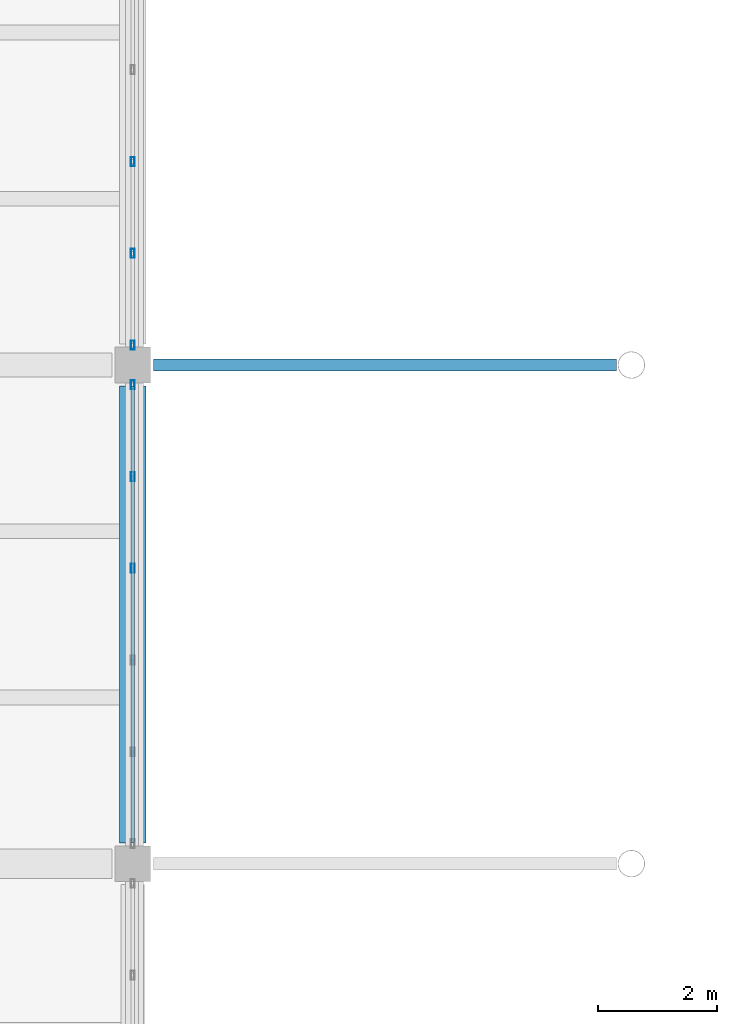
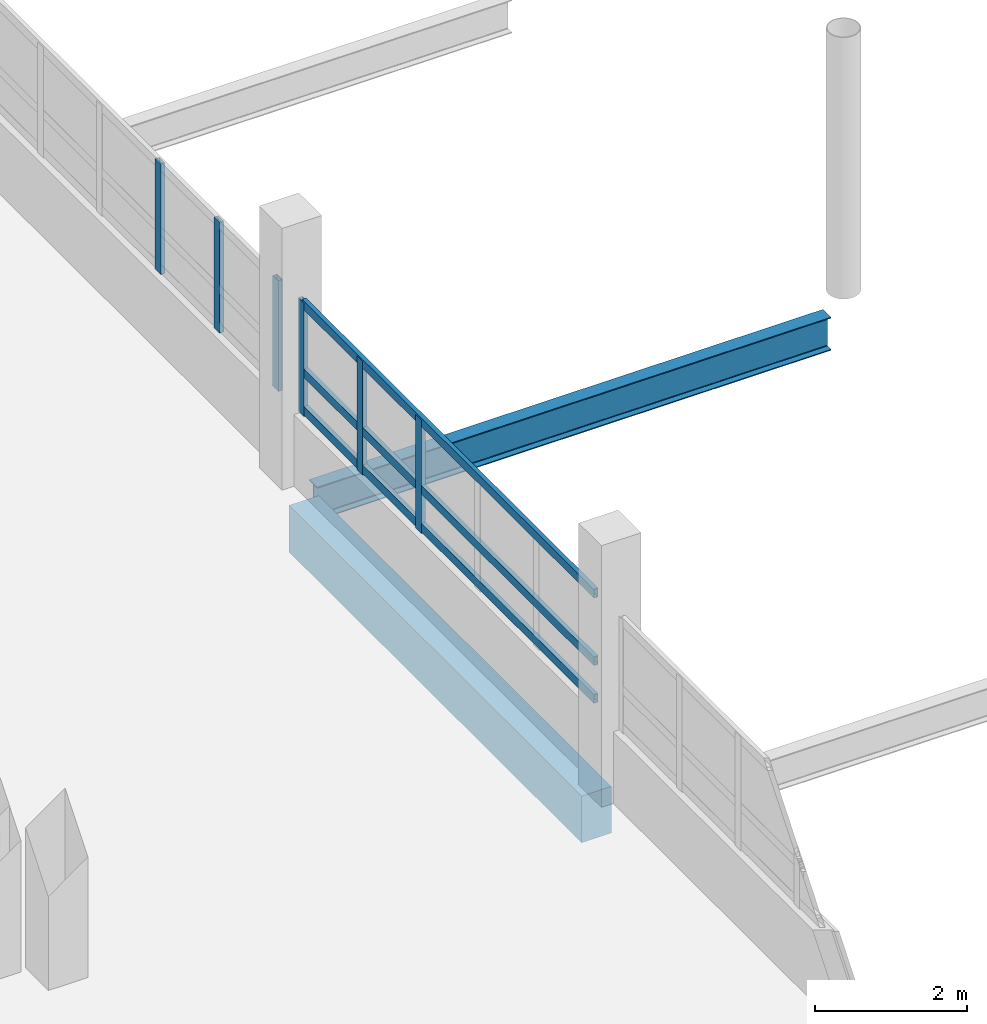
# One storey, part 30 of 101: 9 members, 2 beams, 2 elements without a shape of their own.
"""IFC4 building model written with IfcOpenShell, lengths in metres."""

import ifcopenshell
import ifcopenshell.guid

model = None  # the IFC model being written
_history = None  # IfcOwnerHistory: only IFC2X3 demands one
_inside = {}  # id of a spatial element -> (the spatial element, [elements in it])
_under = {}  # id of a project, library or spatial element -> (it, [spatial elements below it])
_declared = {}  # id of a project -> (the project, [libraries it declares])
_typed = {}  # id of a type object -> (the type object, [elements of that type])
_made_of = {}  # id of a material, layer set ... -> (it, [elements and type objects made of it])


def new_model(schema):
    """Start an empty IFC model of exactly this schema.

    Asked for "IFC4X3", IfcOpenShell would pick the latest addendum, in which some entities
    have other attributes; the version numbers below select the first issue.
    IFC2X3 requires an IfcOwnerHistory on every rooted entity: one is made here for all.
    """
    global model, _history
    if schema == "IFC4X3":
        model = ifcopenshell.file(schema_version=(4, 3, 0, 0))
    else:
        model = ifcopenshell.file(schema=schema)
    _inside.clear()
    _under.clear()
    _declared.clear()
    _typed.clear()
    _made_of.clear()
    _history = None
    if model.schema == "IFC2X3":
        org = make("IfcOrganization", Name="unknown")
        user = make(
            "IfcPersonAndOrganization",
            ThePerson=make("IfcPerson", FamilyName="unknown"),
            TheOrganization=org,
        )
        app = make(
            "IfcApplication",
            ApplicationDeveloper=org,
            Version="unknown",
            ApplicationFullName="unknown",
            ApplicationIdentifier="unknown",
        )
        _history = make(
            "IfcOwnerHistory",
            OwningUser=user,
            OwningApplication=app,
            ChangeAction="ADDED",
            CreationDate=0,
        )
    return model


def make(cls, **values):
    """One entity of the class cls with the attributes given. An attribute that is None is left unset."""
    return model.create_entity(
        cls, **{name: value for name, value in values.items() if value is not None}
    )


def rooted(cls, **values):
    """An entity with a GlobalId (a new one), such as an element, a storey or a relation."""
    return make(cls, GlobalId=ifcopenshell.guid.new(), OwnerHistory=_history, **values)


def si_unit(unit_type, name, prefix=None):
    """IfcSIUnit, for example si_unit("LENGTHUNIT", "METRE", prefix="MILLI")."""
    return make("IfcSIUnit", UnitType=unit_type, Prefix=prefix, Name=name)


def assignment(units):
    """IfcUnitAssignment: the units of a project."""
    return None if units is None else make("IfcUnitAssignment", Units=units)


def point(xyz):
    """IfcCartesianPoint."""
    return None if xyz is None else make("IfcCartesianPoint", Coordinates=xyz)


def direction(xyz):
    """IfcDirection."""
    return None if xyz is None else make("IfcDirection", DirectionRatios=xyz)


def frame(location, z_axis=None, x_axis=None):
    """IfcAxis2Placement3D, a coordinate frame: its origin and axes. An axis left out is left unset."""
    return make(
        "IfcAxis2Placement3D",
        Location=point(location),
        Axis=direction(z_axis),
        RefDirection=direction(x_axis),
    )


def frame_2d(location, x_axis=None):
    """IfcAxis2Placement2D, a coordinate frame in the plane: its origin and x axis."""
    return make(
        "IfcAxis2Placement2D", Location=point(location), RefDirection=direction(x_axis)
    )


def origin():
    """The frame at (0, 0, 0) with its axes left unset."""
    return frame((0.0, 0.0, 0.0))


def origin_2d():
    """The frame at (0, 0) in the plane with its x axis left unset."""
    return frame_2d((0.0, 0.0))


def place(relative_to, where):
    """IfcLocalPlacement: puts the frame where relative to a parent placement (None: the world)."""
    return make(
        "IfcLocalPlacement", PlacementRelTo=relative_to, RelativePlacement=where
    )


def context(
    kind, dimensions, precision=None, world=None, true_north=None, identifier=None
):
    """IfcGeometricRepresentationContext, for example the 3D "Model" context."""
    return make(
        "IfcGeometricRepresentationContext",
        ContextIdentifier=identifier,
        ContextType=kind,
        CoordinateSpaceDimension=dimensions,
        Precision=precision,
        WorldCoordinateSystem=world,
        TrueNorth=true_north,
    )


def subcontext(parent, identifier, kind, view, scale=None):
    """IfcGeometricRepresentationSubContext, for example "Body" below "Model"."""
    return make(
        "IfcGeometricRepresentationSubContext",
        ContextIdentifier=identifier,
        ContextType=kind,
        ParentContext=parent,
        TargetScale=scale,
        TargetView=view,
    )


def project(units=None, contexts=None):
    """IfcProject with its units and contexts."""
    return rooted(
        "IfcProject",
        Name="project",
        RepresentationContexts=contexts,
        UnitsInContext=assignment(units),
    )


def spatial(cls, under=None, at=None, **own):
    """A site, building, storey or space (cls), placed at a placement, below another one or the project."""
    s = rooted(cls, ObjectPlacement=at, **own)
    if under is not None:
        _under.setdefault(under.id(), (under, []))[1].append(s)
    return s


def profile(cls, at=None, kind="AREA", **sizes):
    """A parametric profile (cls). Its sizes go by their IFC names, for example OverallWidth=200.0."""
    return make(cls, ProfileType=kind, Position=at, **sizes)


def rectangle(**sizes):
    """IfcRectangleProfileDef."""
    return profile("IfcRectangleProfileDef", **sizes)


def hollow_rectangle(**sizes):
    """IfcRectangleHollowProfileDef."""
    return profile("IfcRectangleHollowProfileDef", **sizes)


def i_section(**sizes):
    """IfcIShapeProfileDef."""
    return profile("IfcIShapeProfileDef", **sizes)


def extrude(swept, where, along, depth):
    """IfcExtrudedAreaSolid: the profile swept, set in the frame where, extruded along a direction by depth."""
    return make(
        "IfcExtrudedAreaSolid",
        SweptArea=swept,
        Position=where,
        ExtrudedDirection=direction(along),
        Depth=depth,
    )


def shape(context_of_items, identifier, shape_type, items):
    """IfcShapeRepresentation: the items that make up one representation, for example the "Body"."""
    return make(
        "IfcShapeRepresentation",
        ContextOfItems=context_of_items,
        RepresentationIdentifier=identifier,
        RepresentationType=shape_type,
        Items=items,
    )


def material(Name=None, Category=None):
    """IfcMaterial."""
    return make("IfcMaterial", Name=Name, Category=Category)


def layer(
    of_material, thickness, ventilated=None, Name=None, Category=None, Priority=None
):
    """IfcMaterialLayer: one layer of a wall or slab, of a material (None: an air gap)."""
    return make(
        "IfcMaterialLayer",
        Material=of_material,
        LayerThickness=thickness,
        IsVentilated=ventilated,
        Name=Name,
        Category=Category,
        Priority=Priority,
    )


def layer_set(layers, Name=None):
    """IfcMaterialLayerSet."""
    return make("IfcMaterialLayerSet", MaterialLayers=layers, LayerSetName=Name)


def material_profile(
    of_material, cross_section, Name=None, Category=None, Priority=None
):
    """IfcMaterialProfile: a cross section and its material."""
    return make(
        "IfcMaterialProfile",
        Name=Name,
        Material=of_material,
        Profile=cross_section,
        Priority=Priority,
        Category=Category,
    )


def profile_set(profiles, Name=None, composite=None):
    """IfcMaterialProfileSet."""
    return make(
        "IfcMaterialProfileSet",
        Name=Name,
        MaterialProfiles=profiles,
        CompositeProfile=composite,
    )


def made_of(thing, what):
    """Note that an element or type object is made of a material, layer set ...; save() writes the relation."""
    if what is not None:
        _made_of.setdefault(what.id(), (what, []))[1].append(thing)
    return thing


def type_object(cls, material=None, **own):
    """A type object (cls), such as IfcWallType, which elements share."""
    return made_of(rooted(cls, **own), material)


def element(
    cls,
    number,
    at=None,
    inside=None,
    cuts=None,
    type_object=None,
    material=None,
    context=None,
    identifier="Body",
    shape_type=None,
    held_by="IfcProductDefinitionShape",
    body=None,
    shapes=None,
    **own,
):
    """One element of the class cls, such as IfcWall. Its Tag is "e" and its number.

    at: its placement. inside: the storey or other place that contains it. cuts: it is an
    opening in that element (IfcRelVoidsElement). A single representation is given by context,
    identifier, shape_type and body (its items); several are given by shapes. held_by: the class
    of the entity that holds the representations. save() writes the other relations.
    """
    e = rooted(cls, Tag="e%d" % number, ObjectPlacement=at, **own)
    if body is not None:
        shapes = [shape(context, identifier, shape_type, body)]
    if shapes is not None:
        e.Representation = make(held_by, Representations=shapes)
    if inside is not None:
        _inside.setdefault(inside.id(), (inside, []))[1].append(e)
    if cuts is not None:
        rooted(
            "IfcRelVoidsElement", RelatingBuildingElement=cuts, RelatedOpeningElement=e
        )
    if type_object is not None:
        _typed.setdefault(type_object.id(), (type_object, []))[1].append(e)
    return made_of(e, material)


def aggregate(whole, parts):
    """IfcRelAggregates: a whole, such as a stair, and the parts it consists of."""
    return rooted("IfcRelAggregates", RelatingObject=whole, RelatedObjects=parts)


def save(model, path):
    """Write the relations noted so far, then the file.

    IfcRelAggregates (storeys below a building ...), IfcRelContainedInSpatialStructure (elements
    in a storey), IfcRelDefinesByType, IfcRelAssociatesMaterial and IfcRelDeclares: one each for
    every whole, place, type object, material and project.
    """
    for whole, parts in _under.values():
        aggregate(whole, parts)
    for where, things in _inside.values():
        rooted(
            "IfcRelContainedInSpatialStructure",
            RelatedElements=things,
            RelatingStructure=where,
        )
    for kind, things in _typed.values():
        rooted("IfcRelDefinesByType", RelatedObjects=things, RelatingType=kind)
    for what, things in _made_of.values():
        rooted("IfcRelAssociatesMaterial", RelatedObjects=things, RelatingMaterial=what)
    for by, libraries in _declared.values():
        rooted("IfcRelDeclares", RelatingContext=by, RelatedDefinitions=libraries)
    model.write(path)


model = new_model("IFC4")

# Units and contexts
model_context = context("Model", 3, precision=1e-05, world=origin(), true_north=direction((0.0, 1.0)))
body_context = subcontext(model_context, "Body", "Model", "MODEL_VIEW")
ifc_project = project(units=[si_unit("LENGTHUNIT", "METRE"), si_unit("AREAUNIT", "SQUARE_METRE"), si_unit("VOLUMEUNIT", "CUBIC_METRE"), si_unit("PLANEANGLEUNIT", "RADIAN"), si_unit("MASSUNIT", "GRAM", prefix="KILO")], contexts=[model_context])

# Site, building, storey
site_placement = place(None, origin())
site = spatial("IfcSite", under=ifc_project, at=site_placement, CompositionType="ELEMENT")
building_placement = place(site_placement, origin())
building = spatial("IfcBuilding", under=site, at=building_placement, Name="Vireocrest Preparatory School", CompositionType="ELEMENT")
storey_placement = place(building_placement, frame((0.0, 0.0, 4.800048828125)))
storey = spatial("IfcBuildingStorey", under=building, at=storey_placement, Name="L01", CompositionType="ELEMENT", Elevation=4.800048828125)

# Curtain wall, members
ifc_material_1 = material(Name="Thermally broken aluminium EN AW-6063-T6", Category="aluminium")
ifc_layer = layer(ifc_material_1, 0.179931640625)
ifc_layer_set = layer_set([ifc_layer], Name="Thermally broken aluminium EN AW-6063-T6")
curtain_wall_type = type_object("IfcCurtainWallType", Name="Court Banded Curtain Wall 8400x3000", PredefinedType="USERDEFINED", material=ifc_layer_set)
curtain_wall_1_placement = place(storey_placement, origin())
curtain_wall_1 = element("IfcCurtainWall", 1, at=curtain_wall_1_placement, inside=storey, type_object=curtain_wall_type, Name="Curtain Wall CW02 CW_L01_CW02_0672_0441_060", ObjectType="CURTAIN WALL", PredefinedType="USERDEFINED")
ifc_material_profile_1 = material_profile(ifc_material_1, hollow_rectangle(XDim=0.06494140625, YDim=0.14990234375, WallThickness=0.00390625, at=origin_2d()), Name="ALU 65x150x4")
ifc_profile_set_1 = profile_set([ifc_material_profile_1], Name="Thermally broken aluminium EN AW-6063-T6")
member_type_1 = type_object("IfcMemberType", Name="CW Mullion 65x150x4", PredefinedType="MULLION", material=ifc_profile_set_1)
member_1_placement = place(storey_placement, frame((67.199951171875, 48.77294921875, 1.14990234375), z_axis=(0.0, 0.0, 1.0), x_axis=(1.0, 0.0, 0.0)))
member_1 = element("IfcMember", 2, at=member_1_placement, type_object=member_type_1, Name="CW Mullion ML1 CW_L01_CW02_0672_0441_060-4", PredefinedType="MULLION", context=body_context, shape_type="SweptSolid", body=[
    extrude(hollow_rectangle(XDim=0.06494140625, YDim=0.14990234375, WallThickness=0.00390625, at=origin_2d()), origin(), (0.0, 0.0, 1.0), 1.824951171875),
])
member_2_placement = place(storey_placement, frame((67.199951171875, 50.319091796875, 1.14990234375), z_axis=(0.0, 0.0, 1.0), x_axis=(1.0, 0.0, 0.0)))
member_2 = element("IfcMember", 3, at=member_2_placement, type_object=member_type_1, Name="CW Mullion ML1 CW_L01_CW02_0672_0441_060-5", PredefinedType="MULLION", context=body_context, shape_type="SweptSolid", body=[
    extrude(hollow_rectangle(XDim=0.06494140625, YDim=0.14990234375, WallThickness=0.00390625, at=origin_2d()), origin(), (0.0, 0.0, 1.0), 1.824951171875),
])
member_3_placement = place(storey_placement, frame((67.199951171875, 51.864990234375, 1.14990234375), z_axis=(0.0, 0.0, 1.0), x_axis=(1.0, 0.0, 0.0)))
member_3 = element("IfcMember", 4, at=member_3_placement, type_object=member_type_1, Name="CW Mullion ML1 CW_L01_CW02_0672_0441_060-6", PredefinedType="MULLION", context=body_context, shape_type="SweptSolid", body=[
    extrude(hollow_rectangle(XDim=0.06494140625, YDim=0.14990234375, WallThickness=0.00390625, at=origin_2d()), origin(), (0.0, 0.0, 1.0), 1.824951171875),
])

curtain_wall_2_placement = place(storey_placement, origin())
curtain_wall_2 = element("IfcCurtainWall", 5, at=curtain_wall_2_placement, inside=storey, type_object=curtain_wall_type, Name="Curtain Wall CW02 CW_L01_CW02_0672_0525_060", ObjectType="CURTAIN WALL", PredefinedType="USERDEFINED")
member_4_placement = place(storey_placement, frame((67.199951171875, 52.534912109375, 1.14990234375), z_axis=(0.0, 0.0, 1.0), x_axis=(1.0, 0.0, 0.0)))
member_4 = element("IfcMember", 6, at=member_4_placement, type_object=member_type_1, Name="CW Mullion ML1 CW_L01_CW02_0672_0525_060-1", PredefinedType="MULLION", context=body_context, shape_type="SweptSolid", body=[
    extrude(hollow_rectangle(XDim=0.06494140625, YDim=0.14990234375, WallThickness=0.00390625, at=origin_2d()), origin(), (0.0, 0.0, 1.0), 1.775146484375),
])
member_5_placement = place(storey_placement, frame((67.199951171875, 54.0810546875, 1.14990234375), z_axis=(0.0, 0.0, 1.0), x_axis=(1.0, 0.0, 0.0)))
member_5 = element("IfcMember", 7, at=member_5_placement, type_object=member_type_1, Name="CW Mullion ML1 CW_L01_CW02_0672_0525_060-2", PredefinedType="MULLION", context=body_context, shape_type="SweptSolid", body=[
    extrude(hollow_rectangle(XDim=0.06494140625, YDim=0.14990234375, WallThickness=0.00390625, at=origin_2d()), origin(), (0.0, 0.0, 1.0), 1.775146484375),
])
member_6_placement = place(storey_placement, frame((67.199951171875, 55.626953125, 1.14990234375), z_axis=(0.0, 0.0, 1.0), x_axis=(1.0, 0.0, 0.0)))
member_6 = element("IfcMember", 8, at=member_6_placement, type_object=member_type_1, Name="CW Mullion ML1 CW_L01_CW02_0672_0525_060-3", PredefinedType="MULLION", context=body_context, shape_type="SweptSolid", body=[
    extrude(hollow_rectangle(XDim=0.06494140625, YDim=0.14990234375, WallThickness=0.00390625, at=origin_2d()), origin(), (0.0, 0.0, 1.0), 1.775146484375),
])
aggregate(curtain_wall_2, [member_4, member_5, member_6])

# Member
ifc_material_profile_2 = material_profile(ifc_material_1, hollow_rectangle(XDim=0.06494140625, YDim=0.139892578125, WallThickness=0.00390625, at=origin_2d()), Name="ALU 65x140x4")
ifc_profile_set_2 = profile_set([ifc_material_profile_2], Name="Thermally broken aluminium EN AW-6063-T6")
member_type_2 = type_object("IfcMemberType", Name="CW Transom 65x140x4", PredefinedType="USERDEFINED", material=ifc_profile_set_2)
member_7_placement = place(storey_placement, frame((67.199951171875, 44.159912109375, 1.244873046875), z_axis=(0.0, 1.0, 0.0), x_axis=(-1.0, 0.0, 0.0)))
member_7 = element("IfcMember", 9, at=member_7_placement, type_object=member_type_2, Name="CW Transom TR1 CW_L01_CW02_0672_0441_060-1", ObjectType="TRANSOM", PredefinedType="USERDEFINED", context=body_context, shape_type="SweptSolid", body=[
    extrude(hollow_rectangle(XDim=0.06494140625, YDim=0.139892578125, WallThickness=0.00390625, at=origin_2d()), origin(), (0.0, 0.0, 1.0), 7.68017578125),
])

member_8_placement = place(storey_placement, frame((67.199951171875, 44.159912109375, 1.849853515625), z_axis=(0.0, 1.0, 0.0), x_axis=(-1.0, 0.0, 0.0)))
member_8 = element("IfcMember", 10, at=member_8_placement, type_object=member_type_2, Name="CW Transom TR1 CW_L01_CW02_0672_0441_060-2", ObjectType="TRANSOM", PredefinedType="USERDEFINED", context=body_context, shape_type="SweptSolid", body=[
    extrude(hollow_rectangle(XDim=0.06494140625, YDim=0.139892578125, WallThickness=0.00390625, at=origin_2d()), origin(), (0.0, 0.0, 1.0), 7.68017578125),
])

member_9_placement = place(storey_placement, frame((67.199951171875, 44.159912109375, 2.93505859375), z_axis=(0.0, 1.0, 0.0), x_axis=(-1.0, 0.0, 0.0)))
member_9 = element("IfcMember", 11, at=member_9_placement, type_object=member_type_2, Name="CW Transom TR1 CW_L01_CW02_0672_0441_060-3", ObjectType="TRANSOM", PredefinedType="USERDEFINED", context=body_context, shape_type="SweptSolid", body=[
    extrude(hollow_rectangle(XDim=0.06494140625, YDim=0.139892578125, WallThickness=0.00390625, at=origin_2d()), origin(), (0.0, 0.0, 1.0), 7.68017578125),
])

aggregate(curtain_wall_1, [member_1, member_2, member_3, member_7, member_8, member_9])

# Beams
ifc_material_2 = material(Name="Structural steel ASTM A992 Grade 50", Category="steel")
ifc_material_profile_3 = material_profile(ifc_material_2, i_section(OverallWidth=0.208984375, OverallDepth=0.532958984375, WebThickness=0.01025390625, FlangeThickness=0.015625, FilletRadius=0.014892578125, at=origin_2d()), Name="W21X62")
ifc_profile_set_3 = profile_set([ifc_material_profile_3], Name="Structural steel ASTM A992 Grade 50")
beam_type_1 = type_object("IfcBeamType", Name="Court Tie Girder W21X62", PredefinedType="BEAM", material=ifc_profile_set_3)
beam_1_placement = place(storey_placement, frame((67.544921875, 52.199951171875, -0.566650390625), z_axis=(1.0, 0.0, 0.0), x_axis=(0.0, 1.0, 0.0)))
element("IfcBeam", 12, at=beam_1_placement, inside=storey, type_object=beam_type_1, Name="Court Trunk Lateral Tie Girder SB5 W4 L01", PredefinedType="BEAM", context=body_context, shape_type="SweptSolid", body=[
    extrude(i_section(OverallWidth=0.208984375, OverallDepth=0.532958984375, WebThickness=0.01025390625, FlangeThickness=0.015625, FilletRadius=0.014892578125, at=origin_2d()), origin(), (0.0, 0.0, 1.0), 7.80615234375),
])
ifc_material_3 = material(Name="Concrete 40 MPa", Category="concrete")
ifc_material_profile_4 = material_profile(ifc_material_3, rectangle(XDim=0.449951171875, YDim=0.75, at=origin_2d()), Name="RC 450x750")
ifc_profile_set_4 = profile_set([ifc_material_profile_4], Name="Concrete 40 MPa")
beam_type_2 = type_object("IfcBeamType", Name="RC Library Stack Girder 450x750", PredefinedType="BEAM", material=ifc_profile_set_4)
beam_2_placement = place(storey_placement, frame((67.199951171875, 44.14990234375, -0.614990234375), z_axis=(0.0, 1.0, 0.0), x_axis=(-1.0, 0.0, 0.0)))
element("IfcBeam", 13, at=beam_2_placement, inside=storey, type_object=beam_type_2, Name="Primary Girder B11 L01-0418", PredefinedType="BEAM", context=body_context, shape_type="SweptSolid", body=[
    extrude(rectangle(XDim=0.449951171875, YDim=0.75, at=origin_2d()), origin(), (0.0, 0.0, 1.0), 7.7001953125),
])

save(model, "model.ifc")
